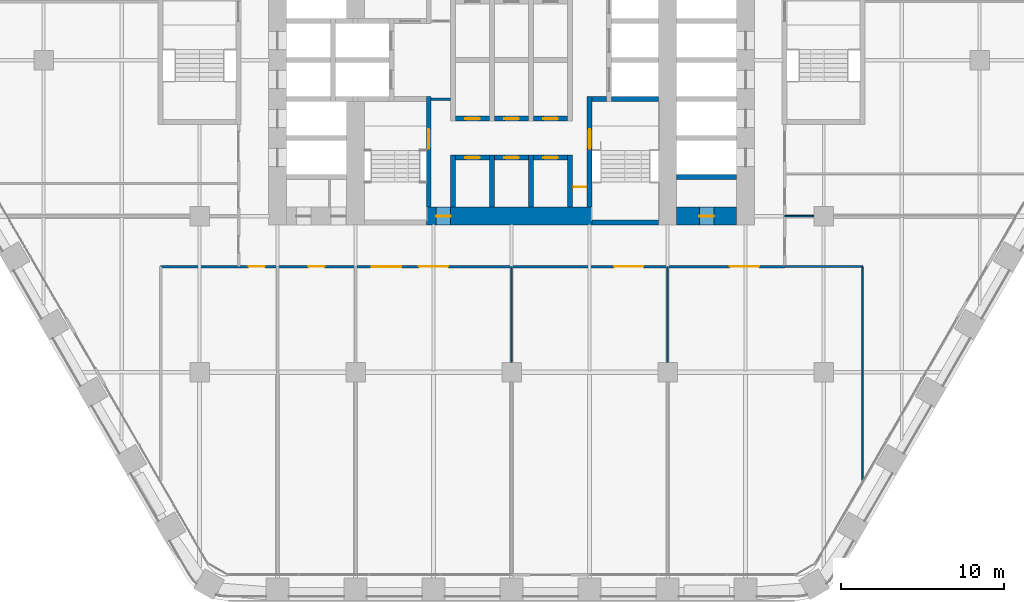
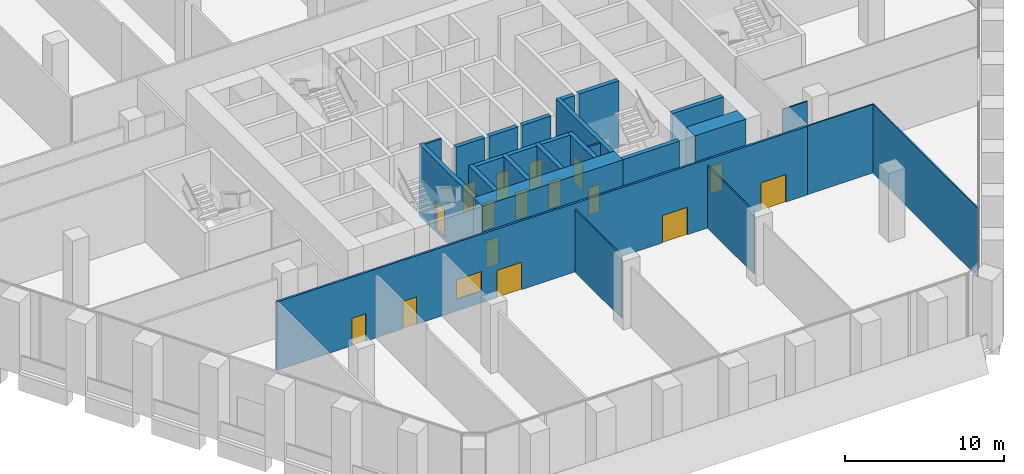
# One storey, part 18 of 27: 26 walls, 16 doors, 1 window, 17 openings.
"""IFC4 building model written with IfcOpenShell, lengths in metres."""

from ifc_helpers import new_model, si_unit, direction, frame, frame_2d, origin, place, context, subcontext, project, spatial, rectangle, extrude, material, layer, layer_set, type_object, element, fill, save


model = new_model("IFC4")

# Units and contexts
model_context = context("Model", 3, precision=1e-05, world=origin(), true_north=direction((0.0, 1.0)))
body_context = subcontext(model_context, "Body", "Model", "MODEL_VIEW")
ifc_project = project(units=[si_unit("LENGTHUNIT", "METRE"), si_unit("AREAUNIT", "SQUARE_METRE"), si_unit("VOLUMEUNIT", "CUBIC_METRE"), si_unit("PLANEANGLEUNIT", "RADIAN"), si_unit("MASSUNIT", "GRAM", prefix="KILO")], contexts=[model_context])

# Site, building, storey
site_placement = place(None, origin())
site = spatial("IfcSite", under=ifc_project, at=site_placement, CompositionType="ELEMENT")
building_placement = place(site_placement, origin())
building = spatial("IfcBuilding", under=site, at=building_placement, Name="Kolab Exchange Tower", CompositionType="ELEMENT")
storey_placement = place(building_placement, frame((0.0, 0.0, 27.89990234375)))
storey = spatial("IfcBuildingStorey", under=building, at=storey_placement, Name="L05", CompositionType="ELEMENT", Elevation=27.89990234375)

# Wall, opening, door
ifc_material_1 = material(Name="Concrete C80/95", Category="concrete")
ifc_layer_1 = layer(ifc_material_1, 1.10009765625)
ifc_layer_set_1 = layer_set([ifc_layer_1], Name="Concrete C80/95")
wall_type_1 = type_object("IfcWallType", Name="CORE WALL 1100 C80/95", PredefinedType="SHEAR", material=ifc_layer_set_1)
wall_1_placement = place(storey_placement, frame((-5.25, -9.60009765625, -0.25), z_axis=(0.0, 0.0, 1.0), x_axis=(1.0, 0.0, 0.0)))
wall_1 = element("IfcWall", 1, at=wall_1_placement, inside=storey, type_object=wall_type_1, Name="wall/L05/core/003", PredefinedType="SHEAR", context=body_context, shape_type="SweptSolid", body=[
    extrude(rectangle(XDim=10.199951171875, YDim=1.10009765625, at=frame_2d((5.10009765625, 0.0))), origin(), (0.0, 0.0, 1.0), 5.5),
])
opening_1_placement = place(wall_1_placement, frame((0.60009765625, 0.0, 0.25)))
opening_1 = element("IfcOpeningElement", 2, at=opening_1_placement, cuts=wall_1, Name="Opening D6-096", PredefinedType="OPENING", context=body_context, shape_type="SweptSolid", body=[
    extrude(rectangle(XDim=0.89990234375, YDim=2.10009765625, at=frame_2d((0.449951171875, 1.050048828125))), frame((0.0, 0.56005859375, 0.0), z_axis=(0.0, -1.0, 0.0), x_axis=(1.0, 0.0, 0.0)), (0.0, 0.0, 1.0), 1.1201171875),
])
ifc_material_2 = material(Name="Steel S235", Category="steel")
door_type_1 = type_object("IfcDoorType", Name="CORE DOOR 900 EI 120", OperationType="SINGLE_SWING_LEFT", PredefinedType="DOOR", material=ifc_material_2)
door_1_placement = place(opening_1_placement, origin())
door_1 = element("IfcDoor", 3, at=door_1_placement, inside=storey, type_object=door_type_1, Name="Core lobby door", OperationType="SINGLE_SWING_RIGHT", OverallHeight=2.10009765625, OverallWidth=0.89990234375, PredefinedType="DOOR", context=body_context, shape_type="SweptSolid", body=[
    extrude(rectangle(XDim=0.89990234375, YDim=2.10009765625, at=frame_2d((0.449951171875, 1.050048828125))), frame((0.0, 0.02490234375, 0.0), z_axis=(0.0, -1.0, 0.0), x_axis=(1.0, 0.0, 0.0)), (0.0, 0.0, 1.0), 0.050048828125),
])
fill(opening_1, door_1)

wall_2_placement = place(storey_placement, frame((10.14990234375, -9.60009765625, -0.25), z_axis=(0.0, 0.0, 1.0), x_axis=(1.0, 0.0, 0.0)))
wall_2 = element("IfcWall", 4, at=wall_2_placement, inside=storey, type_object=wall_type_1, Name="wall/L05/core/004", PredefinedType="SHEAR", context=body_context, shape_type="SweptSolid", body=[
    extrude(rectangle(XDim=3.7001953125, YDim=1.10009765625, at=frame_2d((1.85009765625, 0.0))), origin(), (0.0, 0.0, 1.0), 5.5),
])
opening_2_placement = place(wall_2_placement, frame((1.39990234375, 0.0, 0.25)))
opening_2 = element("IfcOpeningElement", 5, at=opening_2_placement, cuts=wall_2, Name="Opening D6-100", PredefinedType="OPENING", context=body_context, shape_type="SweptSolid", body=[
    extrude(rectangle(XDim=0.89990234375, YDim=2.10009765625, at=frame_2d((0.449951171875, 1.050048828125))), frame((0.0, 0.56005859375, 0.0), z_axis=(0.0, -1.0, 0.0), x_axis=(1.0, 0.0, 0.0)), (0.0, 0.0, 1.0), 1.1201171875),
])
door_2_placement = place(opening_2_placement, origin())
door_2 = element("IfcDoor", 6, at=door_2_placement, inside=storey, type_object=door_type_1, Name="Service room door", OperationType="SINGLE_SWING_LEFT", OverallHeight=2.10009765625, OverallWidth=0.89990234375, PredefinedType="DOOR", context=body_context, shape_type="SweptSolid", body=[
    extrude(rectangle(XDim=0.89990234375, YDim=2.10009765625, at=frame_2d((0.449951171875, 1.050048828125))), frame((0.0, 0.02490234375, 0.0), z_axis=(0.0, -1.0, 0.0), x_axis=(1.0, 0.0, 0.0)), (0.0, 0.0, 1.0), 0.050048828125),
])
fill(opening_2, door_2)

# Wall
ifc_material_3 = material(Name="Concrete C50/60", Category="concrete")
ifc_layer_2 = layer(ifc_material_3, 0.300048828125)
ifc_layer_set_2 = layer_set([ifc_layer_2], Name="Concrete C50/60")
wall_type_2 = type_object("IfcWallType", Name="LIFT SHAFT WALL 300 C50/60", PredefinedType="STANDARD", material=ifc_layer_set_2)
wall_3_placement = place(storey_placement, frame((10.14990234375, -7.199951171875, -0.25), z_axis=(0.0, 0.0, 1.0), x_axis=(1.0, 0.0, 0.0)))
element("IfcWall", 7, at=wall_3_placement, inside=storey, type_object=wall_type_2, Name="wall/L05/core/006", PredefinedType="STANDARD", context=body_context, shape_type="SweptSolid", body=[
    extrude(rectangle(XDim=3.7001953125, YDim=0.300048828125, at=frame_2d((1.85009765625, 0.0))), origin(), (0.0, 0.0, 1.0), 5.5),
])

# Wall, opening, door
wall_4_placement = place(storey_placement, frame((-3.449951171875, -6.0, -0.25), z_axis=(0.0, 0.0, 1.0), x_axis=(1.0, 0.0, 0.0)))
wall_4 = element("IfcWall", 8, at=wall_4_placement, inside=storey, type_object=wall_type_2, Name="wall/L05/core/007", PredefinedType="STANDARD", context=body_context, shape_type="SweptSolid", body=[
    extrude(rectangle(XDim=2.099853515625, YDim=0.300048828125, at=frame_2d((1.0498046875, 0.0))), origin(), (0.0, 0.0, 1.0), 5.5),
])
opening_3_placement = place(wall_4_placement, frame((0.60009765625, 0.0, 0.25)))
opening_3 = element("IfcOpeningElement", 9, at=opening_3_placement, cuts=wall_4, Name="Opening D6-095", PredefinedType="OPENING", context=body_context, shape_type="SweptSolid", body=[
    extrude(rectangle(XDim=0.89990234375, YDim=2.10009765625, at=frame_2d((0.449951171875, 1.050048828125))), frame((0.0, 0.16015625, 0.0), z_axis=(0.0, -1.0, 0.0), x_axis=(1.0, 0.0, 0.0)), (0.0, 0.0, 1.0), 0.320068359375),
])
door_3_placement = place(opening_3_placement, frame((0.89990234375, 0.0, 0.0), z_axis=(0.0, 0.0, 1.0), x_axis=(-1.0, 0.0, 0.0)))
door_3 = element("IfcDoor", 10, at=door_3_placement, inside=storey, type_object=door_type_1, Name="Service room door", OperationType="SINGLE_SWING_LEFT", OverallHeight=2.10009765625, OverallWidth=0.89990234375, PredefinedType="DOOR", context=body_context, shape_type="SweptSolid", body=[
    extrude(rectangle(XDim=0.89990234375, YDim=2.10009765625, at=frame_2d((0.449951171875, 1.050048828125))), frame((0.0, 0.02490234375, 0.0), z_axis=(0.0, -1.0, 0.0), x_axis=(1.0, 0.0, 0.0)), (0.0, 0.0, 1.0), 0.050048828125),
])
fill(opening_3, door_3)

wall_5_placement = place(storey_placement, frame((-1.050048828125, -6.0, -0.25), z_axis=(0.0, 0.0, 1.0), x_axis=(1.0, 0.0, 0.0)))
wall_5 = element("IfcWall", 11, at=wall_5_placement, inside=storey, type_object=wall_type_2, Name="wall/L05/core/008", PredefinedType="STANDARD", context=body_context, shape_type="SweptSolid", body=[
    extrude(rectangle(XDim=2.10009765625, YDim=0.300048828125, at=frame_2d((1.050048828125, 0.0))), origin(), (0.0, 0.0, 1.0), 5.5),
])
opening_4_placement = place(wall_5_placement, frame((0.60009765625, 0.0, 0.25)))
opening_4 = element("IfcOpeningElement", 12, at=opening_4_placement, cuts=wall_5, Name="Opening D6-094", PredefinedType="OPENING", context=body_context, shape_type="SweptSolid", body=[
    extrude(rectangle(XDim=0.89990234375, YDim=2.10009765625, at=frame_2d((0.449951171875, 1.050048828125))), frame((0.0, 0.16015625, 0.0), z_axis=(0.0, -1.0, 0.0), x_axis=(1.0, 0.0, 0.0)), (0.0, 0.0, 1.0), 0.320068359375),
])
door_4_placement = place(opening_4_placement, frame((0.89990234375, 0.0, 0.0), z_axis=(0.0, 0.0, 1.0), x_axis=(-1.0, 0.0, 0.0)))
door_4 = element("IfcDoor", 13, at=door_4_placement, inside=storey, type_object=door_type_1, Name="Service room door", OperationType="SINGLE_SWING_LEFT", OverallHeight=2.10009765625, OverallWidth=0.89990234375, PredefinedType="DOOR", context=body_context, shape_type="SweptSolid", body=[
    extrude(rectangle(XDim=0.89990234375, YDim=2.10009765625, at=frame_2d((0.449951171875, 1.050048828125))), frame((0.0, 0.02490234375, 0.0), z_axis=(0.0, -1.0, 0.0), x_axis=(1.0, 0.0, 0.0)), (0.0, 0.0, 1.0), 0.050048828125),
])
fill(opening_4, door_4)

wall_6_placement = place(storey_placement, frame((1.35009765625, -6.0, -0.25), z_axis=(0.0, 0.0, 1.0), x_axis=(1.0, 0.0, 0.0)))
wall_6 = element("IfcWall", 14, at=wall_6_placement, inside=storey, type_object=wall_type_2, Name="wall/L05/core/009", PredefinedType="STANDARD", context=body_context, shape_type="SweptSolid", body=[
    extrude(rectangle(XDim=2.099853515625, YDim=0.300048828125, at=frame_2d((1.0498046875, 0.0))), origin(), (0.0, 0.0, 1.0), 5.5),
])
opening_5_placement = place(wall_6_placement, frame((0.60009765625, 0.0, 0.25)))
opening_5 = element("IfcOpeningElement", 15, at=opening_5_placement, cuts=wall_6, Name="Opening D6-093", PredefinedType="OPENING", context=body_context, shape_type="SweptSolid", body=[
    extrude(rectangle(XDim=0.89990234375, YDim=2.10009765625, at=frame_2d((0.449951171875, 1.050048828125))), frame((0.0, 0.16015625, 0.0), z_axis=(0.0, -1.0, 0.0), x_axis=(1.0, 0.0, 0.0)), (0.0, 0.0, 1.0), 0.320068359375),
])
door_5_placement = place(opening_5_placement, frame((0.89990234375, 0.0, 0.0), z_axis=(0.0, 0.0, 1.0), x_axis=(-1.0, 0.0, 0.0)))
door_5 = element("IfcDoor", 16, at=door_5_placement, inside=storey, type_object=door_type_1, Name="Service room door", OperationType="SINGLE_SWING_RIGHT", OverallHeight=2.10009765625, OverallWidth=0.89990234375, PredefinedType="DOOR", context=body_context, shape_type="SweptSolid", body=[
    extrude(rectangle(XDim=0.89990234375, YDim=2.10009765625, at=frame_2d((0.449951171875, 1.050048828125))), frame((0.0, 0.02490234375, 0.0), z_axis=(0.0, -1.0, 0.0), x_axis=(1.0, 0.0, 0.0)), (0.0, 0.0, 1.0), 0.050048828125),
])
fill(opening_5, door_5)

wall_7_placement = place(storey_placement, frame((-3.449951171875, -3.60009765625, -0.25), z_axis=(0.0, 0.0, 1.0), x_axis=(1.0, 0.0, 0.0)))
wall_7 = element("IfcWall", 17, at=wall_7_placement, inside=storey, type_object=wall_type_2, Name="wall/L05/core/014", PredefinedType="STANDARD", context=body_context, shape_type="SweptSolid", body=[
    extrude(rectangle(XDim=2.099853515625, YDim=0.300048828125, at=frame_2d((1.0498046875, 0.0))), origin(), (0.0, 0.0, 1.0), 5.5),
])
opening_6_placement = place(wall_7_placement, frame((0.60009765625, 0.0, 0.25)))
opening_6 = element("IfcOpeningElement", 18, at=opening_6_placement, cuts=wall_7, Name="Opening D6-092", PredefinedType="OPENING", context=body_context, shape_type="SweptSolid", body=[
    extrude(rectangle(XDim=0.89990234375, YDim=2.10009765625, at=frame_2d((0.449951171875, 1.050048828125))), frame((0.0, 0.16015625, 0.0), z_axis=(0.0, -1.0, 0.0), x_axis=(1.0, 0.0, 0.0)), (0.0, 0.0, 1.0), 0.320068359375),
])
door_6_placement = place(opening_6_placement, origin())
door_6 = element("IfcDoor", 19, at=door_6_placement, inside=storey, type_object=door_type_1, Name="Service room door", OperationType="SINGLE_SWING_LEFT", OverallHeight=2.10009765625, OverallWidth=0.89990234375, PredefinedType="DOOR", context=body_context, shape_type="SweptSolid", body=[
    extrude(rectangle(XDim=0.89990234375, YDim=2.10009765625, at=frame_2d((0.449951171875, 1.050048828125))), frame((0.0, 0.02490234375, 0.0), z_axis=(0.0, -1.0, 0.0), x_axis=(1.0, 0.0, 0.0)), (0.0, 0.0, 1.0), 0.050048828125),
])
fill(opening_6, door_6)

wall_8_placement = place(storey_placement, frame((-1.050048828125, -3.60009765625, -0.25), z_axis=(0.0, 0.0, 1.0), x_axis=(1.0, 0.0, 0.0)))
wall_8 = element("IfcWall", 20, at=wall_8_placement, inside=storey, type_object=wall_type_2, Name="wall/L05/core/015", PredefinedType="STANDARD", context=body_context, shape_type="SweptSolid", body=[
    extrude(rectangle(XDim=2.10009765625, YDim=0.300048828125, at=frame_2d((1.050048828125, 0.0))), origin(), (0.0, 0.0, 1.0), 5.5),
])
opening_7_placement = place(wall_8_placement, frame((0.60009765625, 0.0, 0.25)))
opening_7 = element("IfcOpeningElement", 21, at=opening_7_placement, cuts=wall_8, Name="Opening D6-091", PredefinedType="OPENING", context=body_context, shape_type="SweptSolid", body=[
    extrude(rectangle(XDim=0.89990234375, YDim=2.10009765625, at=frame_2d((0.449951171875, 1.050048828125))), frame((0.0, 0.16015625, 0.0), z_axis=(0.0, -1.0, 0.0), x_axis=(1.0, 0.0, 0.0)), (0.0, 0.0, 1.0), 0.320068359375),
])
door_7_placement = place(opening_7_placement, origin())
door_7 = element("IfcDoor", 22, at=door_7_placement, inside=storey, type_object=door_type_1, Name="Service room door", OperationType="SINGLE_SWING_LEFT", OverallHeight=2.10009765625, OverallWidth=0.89990234375, PredefinedType="DOOR", context=body_context, shape_type="SweptSolid", body=[
    extrude(rectangle(XDim=0.89990234375, YDim=2.10009765625, at=frame_2d((0.449951171875, 1.050048828125))), frame((0.0, 0.02490234375, 0.0), z_axis=(0.0, -1.0, 0.0), x_axis=(1.0, 0.0, 0.0)), (0.0, 0.0, 1.0), 0.050048828125),
])
fill(opening_7, door_7)

wall_9_placement = place(storey_placement, frame((1.35009765625, -3.60009765625, -0.25), z_axis=(0.0, 0.0, 1.0), x_axis=(1.0, 0.0, 0.0)))
wall_9 = element("IfcWall", 23, at=wall_9_placement, inside=storey, type_object=wall_type_2, Name="wall/L05/core/016", PredefinedType="STANDARD", context=body_context, shape_type="SweptSolid", body=[
    extrude(rectangle(XDim=2.099853515625, YDim=0.300048828125, at=frame_2d((1.0498046875, 0.0))), origin(), (0.0, 0.0, 1.0), 5.5),
])
opening_8_placement = place(wall_9_placement, frame((0.60009765625, 0.0, 0.25)))
opening_8 = element("IfcOpeningElement", 24, at=opening_8_placement, cuts=wall_9, Name="Opening D6-090", PredefinedType="OPENING", context=body_context, shape_type="SweptSolid", body=[
    extrude(rectangle(XDim=0.89990234375, YDim=2.10009765625, at=frame_2d((0.449951171875, 1.050048828125))), frame((0.0, 0.16015625, 0.0), z_axis=(0.0, -1.0, 0.0), x_axis=(1.0, 0.0, 0.0)), (0.0, 0.0, 1.0), 0.320068359375),
])
door_8_placement = place(opening_8_placement, origin())
door_8 = element("IfcDoor", 25, at=door_8_placement, inside=storey, type_object=door_type_1, Name="Service room door", OperationType="SINGLE_SWING_RIGHT", OverallHeight=2.10009765625, OverallWidth=0.89990234375, PredefinedType="DOOR", context=body_context, shape_type="SweptSolid", body=[
    extrude(rectangle(XDim=0.89990234375, YDim=2.10009765625, at=frame_2d((0.449951171875, 1.050048828125))), frame((0.0, 0.02490234375, 0.0), z_axis=(0.0, -1.0, 0.0), x_axis=(1.0, 0.0, 0.0)), (0.0, 0.0, 1.0), 0.050048828125),
])
fill(opening_8, door_8)

# Walls
for number, where, z_axis, x_axis, name in (
    (26, (-3.60009765625, -9.050048828125, -0.25), (0.0, 0.0, 1.0), (0.0, 1.0, 0.0), "wall/L05/core/066"),
    (27, (-1.199951171875, -9.050048828125, -0.25), (0.0, 0.0, 1.0), (0.0, 1.0, 0.0), "wall/L05/core/069"),
    (28, (1.199951171875, -9.050048828125, -0.25), (0.0, 0.0, 1.0), (0.0, 1.0, 0.0), "wall/L05/core/072"),
    (29, (3.60009765625, -9.050048828125, -0.25), (0.0, 0.0, 1.0), (0.0, 1.0, 0.0), "wall/L05/core/075"),
):
    element("IfcWall", number, at=place(storey_placement, frame(where, z_axis=z_axis, x_axis=x_axis)), inside=storey, type_object=wall_type_2, Name=name, PredefinedType="STANDARD", context=body_context, shape_type="SweptSolid", body=[
        extrude(rectangle(XDim=3.199951171875, YDim=0.300048828125, at=frame_2d((1.60009765625, 0.0))), origin(), (0.0, 0.0, 1.0), 5.5),
    ])
ifc_material_4 = material(Name="Gypsum board", Category="gypsum")
ifc_layer_3 = layer(ifc_material_4, 0.10009765625)
ifc_layer_set_3 = layer_set([ifc_layer_3], Name="Gypsum board")
wall_type_3 = type_object("IfcWallType", Name="PARTITION 100", PredefinedType="PARTITIONING", material=ifc_layer_set_3)
wall_10_placement = place(storey_placement, frame((21.60009765625, -25.8583984375, 0.0), z_axis=(0.0, 0.0, 1.0), x_axis=(0.0, 1.0, 0.0)))
element("IfcWall", 30, at=wall_10_placement, inside=storey, type_object=wall_type_3, Name="Partition 000", PredefinedType="PARTITIONING", context=body_context, shape_type="SweptSolid", body=[
    extrude(rectangle(XDim=13.158447265625, YDim=0.10009765625, at=frame_2d((6.5791015625, 0.0))), origin(), (0.0, 0.0, 1.0), 5.25),
])
for number, where, z_axis, x_axis, name in (
    (31, (9.60009765625, -18.60009765625, 0.0), (0.0, 0.0, 1.0), (0.0, 1.0, 0.0), "Partition 007"),
    (32, (0.0, -18.60009765625, 0.0), (0.0, 0.0, 1.0), (0.0, 1.0, 0.0), "Partition 014"),
):
    element("IfcWall", number, at=place(storey_placement, frame(where, z_axis=z_axis, x_axis=x_axis)), inside=storey, type_object=wall_type_3, Name=name, PredefinedType="PARTITIONING", context=body_context, shape_type="SweptSolid", body=[
        extrude(rectangle(XDim=5.900146484375, YDim=0.10009765625, at=frame_2d((2.9501953125, 0.0))), origin(), (0.0, 0.0, 1.0), 4.793212890625),
    ])
wall_11_placement = place(storey_placement, frame((16.800048828125, -12.699951171875, 0.0), z_axis=(0.0, 0.0, 1.0), x_axis=(1.0, 0.0, 0.0)))
element("IfcWall", 33, at=wall_11_placement, inside=storey, type_object=wall_type_3, Name="Partition 030", PredefinedType="PARTITIONING", context=body_context, shape_type="SweptSolid", body=[
    extrude(rectangle(XDim=4.800048828125, YDim=0.10009765625, at=frame_2d((2.39990234375, 0.0))), origin(), (0.0, 0.0, 1.0), 5.25),
])
wall_12_placement = place(storey_placement, frame((16.800048828125, -9.60009765625, 0.0), z_axis=(0.0, 0.0, 1.0), x_axis=(1.0, 0.0, 0.0)))
element("IfcWall", 34, at=wall_12_placement, inside=storey, type_object=wall_type_3, Name="Partition 032", PredefinedType="PARTITIONING", context=body_context, shape_type="SweptSolid", body=[
    extrude(rectangle(XDim=1.800048828125, YDim=0.10009765625, at=frame_2d((0.89990234375, 0.0))), origin(), (0.0, 0.0, 1.0), 4.64208984375),
])

# Wall, openings, doors, window
ifc_layer_4 = layer(ifc_material_4, 0.14990234375)
ifc_layer_set_4 = layer_set([ifc_layer_4], Name="Gypsum board")
wall_type_4 = type_object("IfcWallType", Name="PARTITION 150 FIRE-RATED", PredefinedType="PARTITIONING", material=ifc_layer_set_4)
wall_13_placement = place(storey_placement, frame((-21.60009765625, -12.699951171875, 0.0), z_axis=(0.0, 0.0, 1.0), x_axis=(1.0, 0.0, 0.0)))
wall_13 = element("IfcWall", 35, at=wall_13_placement, inside=storey, type_object=wall_type_4, Name="Partition 031", PredefinedType="PARTITIONING", context=body_context, shape_type="SweptSolid", body=[
    extrude(rectangle(XDim=38.400146484375, YDim=0.14990234375, at=frame_2d((19.2001953125, 0.0))), origin(), (0.0, 0.0, 1.0), 5.25),
])
opening_9_placement = place(wall_13_placement, frame((5.425048828125, 0.0, 0.0)))
opening_9 = element("IfcOpeningElement", 36, at=opening_9_placement, cuts=wall_13, Name="Opening D1-071", PredefinedType="OPENING", context=body_context, shape_type="SweptSolid", body=[
    extrude(rectangle(XDim=1.0, YDim=2.10009765625, at=frame_2d((0.5, 1.050048828125))), frame((0.0, 0.0849609375, 0.0), z_axis=(0.0, -1.0, 0.0), x_axis=(1.0, 0.0, 0.0)), (0.0, 0.0, 1.0), 0.169921875),
])
opening_10_placement = place(wall_13_placement, frame((9.10009765625, 0.0, 0.0)))
opening_10 = element("IfcOpeningElement", 37, at=opening_10_placement, cuts=wall_13, Name="Opening D1-072", PredefinedType="OPENING", context=body_context, shape_type="SweptSolid", body=[
    extrude(rectangle(XDim=1.0, YDim=2.10009765625, at=frame_2d((0.5, 1.050048828125))), frame((0.0, 0.0849609375, 0.0), z_axis=(0.0, -1.0, 0.0), x_axis=(1.0, 0.0, 0.0)), (0.0, 0.0, 1.0), 0.169921875),
])
opening_11_placement = place(wall_13_placement, frame((15.89990234375, 0.0, 0.0)))
opening_11 = element("IfcOpeningElement", 38, at=opening_11_placement, cuts=wall_13, Name="Opening D2-010", PredefinedType="OPENING", context=body_context, shape_type="SweptSolid", body=[
    extrude(rectangle(XDim=1.800048828125, YDim=2.10009765625, at=frame_2d((0.89990234375, 1.050048828125))), frame((0.0, 0.0849609375, 0.0), z_axis=(0.0, -1.0, 0.0), x_axis=(1.0, 0.0, 0.0)), (0.0, 0.0, 1.0), 0.169921875),
])
opening_12_placement = place(wall_13_placement, frame((27.9150390625, 0.0, 0.0)))
opening_12 = element("IfcOpeningElement", 39, at=opening_12_placement, cuts=wall_13, Name="Opening D2-011", PredefinedType="OPENING", context=body_context, shape_type="SweptSolid", body=[
    extrude(rectangle(XDim=1.800048828125, YDim=2.10009765625, at=frame_2d((0.89990234375, 1.050048828125))), frame((0.0, 0.0849609375, 0.0), z_axis=(0.0, -1.0, 0.0), x_axis=(1.0, 0.0, 0.0)), (0.0, 0.0, 1.0), 0.169921875),
])
opening_13_placement = place(wall_13_placement, frame((35.02490234375, 0.0, 0.0)))
opening_13 = element("IfcOpeningElement", 40, at=opening_13_placement, cuts=wall_13, Name="Opening D2-012", PredefinedType="OPENING", context=body_context, shape_type="SweptSolid", body=[
    extrude(rectangle(XDim=1.800048828125, YDim=2.10009765625, at=frame_2d((0.89990234375, 1.050048828125))), frame((0.0, 0.0849609375, 0.0), z_axis=(0.0, -1.0, 0.0), x_axis=(1.0, 0.0, 0.0)), (0.0, 0.0, 1.0), 0.169921875),
])
opening_14_placement = place(wall_13_placement, frame((13.0, 0.0, 0.89990234375)))
opening_14 = element("IfcOpeningElement", 41, at=opening_14_placement, cuts=wall_13, Name="Opening W1-001", PredefinedType="OPENING", context=body_context, shape_type="SweptSolid", body=[
    extrude(rectangle(XDim=1.800048828125, YDim=1.5, at=frame_2d((0.89990234375, 0.75))), frame((0.0, 0.0849609375, 0.0), z_axis=(0.0, -1.0, 0.0), x_axis=(1.0, 0.0, 0.0)), (0.0, 0.0, 1.0), 0.169921875),
])
door_type_2 = type_object("IfcDoorType", Name="DOUBLE DOOR 1800 FD60", OperationType="DOUBLE_DOOR_SINGLE_SWING", PredefinedType="DOOR", material=ifc_material_2)
door_9_placement = place(opening_11_placement, frame((1.800048828125, 0.0, 0.0), z_axis=(0.0, 0.0, 1.0), x_axis=(-1.0, 0.0, 0.0)))
door_9 = element("IfcDoor", 42, at=door_9_placement, inside=storey, type_object=door_type_2, Name="Door L05-056", OperationType="SINGLE_SWING_LEFT", OverallHeight=2.10009765625, OverallWidth=1.800048828125, PredefinedType="DOOR", context=body_context, shape_type="SweptSolid", body=[
    extrude(rectangle(XDim=1.800048828125, YDim=2.10009765625, at=frame_2d((0.89990234375, 1.050048828125))), frame((0.0, 0.02490234375, 0.0), z_axis=(0.0, -1.0, 0.0), x_axis=(1.0, 0.0, 0.0)), (0.0, 0.0, 1.0), 0.050048828125),
])
fill(opening_11, door_9)
door_10_placement = place(opening_12_placement, frame((1.800048828125, 0.0, 0.0), z_axis=(0.0, 0.0, 1.0), x_axis=(-1.0, 0.0, 0.0)))
door_10 = element("IfcDoor", 43, at=door_10_placement, inside=storey, type_object=door_type_2, Name="Door L05-057", OperationType="SINGLE_SWING_RIGHT", OverallHeight=2.10009765625, OverallWidth=1.800048828125, PredefinedType="DOOR", context=body_context, shape_type="SweptSolid", body=[
    extrude(rectangle(XDim=1.800048828125, YDim=2.10009765625, at=frame_2d((0.89990234375, 1.050048828125))), frame((0.0, 0.02490234375, 0.0), z_axis=(0.0, -1.0, 0.0), x_axis=(1.0, 0.0, 0.0)), (0.0, 0.0, 1.0), 0.050048828125),
])
fill(opening_12, door_10)
door_11_placement = place(opening_13_placement, frame((1.800048828125, 0.0, 0.0), z_axis=(0.0, 0.0, 1.0), x_axis=(-1.0, 0.0, 0.0)))
door_11 = element("IfcDoor", 44, at=door_11_placement, inside=storey, type_object=door_type_2, Name="Door L05-058", OperationType="SINGLE_SWING_LEFT", OverallHeight=2.10009765625, OverallWidth=1.800048828125, PredefinedType="DOOR", context=body_context, shape_type="SweptSolid", body=[
    extrude(rectangle(XDim=1.800048828125, YDim=2.10009765625, at=frame_2d((0.89990234375, 1.050048828125))), frame((0.0, 0.02490234375, 0.0), z_axis=(0.0, -1.0, 0.0), x_axis=(1.0, 0.0, 0.0)), (0.0, 0.0, 1.0), 0.050048828125),
])
fill(opening_13, door_11)
door_type_3 = type_object("IfcDoorType", Name="FLUSH DOOR 1000 FD60", OperationType="SINGLE_SWING_LEFT", PredefinedType="DOOR", material=ifc_material_2)
door_12_placement = place(opening_9_placement, frame((1.0, 0.0, 0.0), z_axis=(0.0, 0.0, 1.0), x_axis=(-1.0, 0.0, 0.0)))
door_12 = element("IfcDoor", 45, at=door_12_placement, inside=storey, type_object=door_type_3, Name="Door L05-054", OperationType="SINGLE_SWING_RIGHT", OverallHeight=2.10009765625, OverallWidth=1.0, PredefinedType="DOOR", context=body_context, shape_type="SweptSolid", body=[
    extrude(rectangle(XDim=1.0, YDim=2.10009765625, at=frame_2d((0.5, 1.050048828125))), frame((0.0, 0.02490234375, 0.0), z_axis=(0.0, -1.0, 0.0), x_axis=(1.0, 0.0, 0.0)), (0.0, 0.0, 1.0), 0.050048828125),
])
fill(opening_9, door_12)
door_13_placement = place(opening_10_placement, frame((1.0, 0.0, 0.0), z_axis=(0.0, 0.0, 1.0), x_axis=(-1.0, 0.0, 0.0)))
door_13 = element("IfcDoor", 46, at=door_13_placement, inside=storey, type_object=door_type_3, Name="Door L05-055", OperationType="SINGLE_SWING_LEFT", OverallHeight=2.10009765625, OverallWidth=1.0, PredefinedType="DOOR", context=body_context, shape_type="SweptSolid", body=[
    extrude(rectangle(XDim=1.0, YDim=2.10009765625, at=frame_2d((0.5, 1.050048828125))), frame((0.0, 0.02490234375, 0.0), z_axis=(0.0, -1.0, 0.0), x_axis=(1.0, 0.0, 0.0)), (0.0, 0.0, 1.0), 0.050048828125),
])
fill(opening_10, door_13)
ifc_material_5 = material(Name="Fire-rated glazing", Category="glass")
window_type = type_object("IfcWindowType", Name="OBSERVATION WINDOW 1800 X 1500 EI 60", PartitioningType="SINGLE_PANEL", PredefinedType="WINDOW", material=ifc_material_5)
window_placement = place(opening_14_placement, origin())
window = element("IfcWindow", 47, at=window_placement, inside=storey, type_object=window_type, Name="Viewing window L05-1", OverallHeight=1.5, OverallWidth=1.800048828125, PartitioningType="SINGLE_PANEL", PredefinedType="WINDOW", context=body_context, shape_type="SweptSolid", body=[
    extrude(rectangle(XDim=1.800048828125, YDim=1.5, at=frame_2d((0.89990234375, 0.75))), frame((0.0, 0.030029296875, 0.0), z_axis=(0.0, -1.0, 0.0), x_axis=(1.0, 0.0, 0.0)), (0.0, 0.0, 1.0), 0.06005859375),
])
fill(opening_14, window)

# Wall, opening, door
wall_14_placement = place(storey_placement, frame((3.75, -7.800048828125, 0.0), z_axis=(0.0, 0.0, 1.0), x_axis=(1.0, 0.0, 0.0)))
wall_14 = element("IfcWall", 48, at=wall_14_placement, inside=storey, type_object=wall_type_4, Name="Partition 036", PredefinedType="PARTITIONING", context=body_context, shape_type="SweptSolid", body=[
    extrude(rectangle(XDim=0.89990234375, YDim=0.14990234375, at=frame_2d((0.449951171875, 0.0))), origin(), (0.0, 0.0, 1.0), 5.25),
])
opening_15_placement = place(wall_14_placement, frame((0.050048828125, 0.0, 0.0)))
opening_15 = element("IfcOpeningElement", 49, at=opening_15_placement, cuts=wall_14, Name="Opening D7-008", PredefinedType="OPENING", context=body_context, shape_type="SweptSolid", body=[
    extrude(rectangle(XDim=0.800048828125, YDim=2.10009765625, at=frame_2d((0.39990234375, 1.050048828125))), frame((0.0, 0.0849609375, 0.0), z_axis=(0.0, -1.0, 0.0), x_axis=(1.0, 0.0, 0.0)), (0.0, 0.0, 1.0), 0.169921875),
])
door_type_4 = type_object("IfcDoorType", Name="FLUSH DOOR 800 FD60", OperationType="SINGLE_SWING_LEFT", PredefinedType="DOOR", material=ifc_material_2)
door_14_placement = place(opening_15_placement, frame((0.800048828125, 0.0, 0.0), z_axis=(0.0, 0.0, 1.0), x_axis=(-1.0, 0.0, 0.0)))
door_14 = element("IfcDoor", 50, at=door_14_placement, inside=storey, type_object=door_type_4, Name="Door L05-041", OperationType="SINGLE_SWING_RIGHT", OverallHeight=2.10009765625, OverallWidth=0.800048828125, PredefinedType="DOOR", context=body_context, shape_type="SweptSolid", body=[
    extrude(rectangle(XDim=0.800048828125, YDim=2.10009765625, at=frame_2d((0.39990234375, 1.050048828125))), frame((0.0, 0.02490234375, 0.0), z_axis=(0.0, -1.0, 0.0), x_axis=(1.0, 0.0, 0.0)), (0.0, 0.0, 1.0), 0.050048828125),
])
fill(opening_15, door_14)

# Walls
wall_15_placement = place(storey_placement, frame((-4.949951171875, -2.39990234375, 0.0), z_axis=(0.0, 0.0, 1.0), x_axis=(1.0, 0.0, 0.0)))
element("IfcWall", 51, at=wall_15_placement, inside=storey, type_object=wall_type_4, Name="Fire partition", PredefinedType="PARTITIONING", context=body_context, shape_type="SweptSolid", body=[
    extrude(rectangle(XDim=1.199951171875, YDim=0.14990234375, at=frame_2d((0.60009765625, 0.0))), origin(), (0.0, 0.0, 1.0), 5.25),
])
ifc_layer_5 = layer(ifc_material_3, 0.300048828125)
ifc_layer_set_5 = layer_set([ifc_layer_5], Name="Concrete C50/60")
wall_type_5 = type_object("IfcWallType", Name="STAIR ENCLOSURE WALL 300 C50/60", PredefinedType="STANDARD", material=ifc_layer_set_5)
wall_16_placement = place(storey_placement, frame((4.949951171875, -10.0, -0.25), z_axis=(0.0, 0.0, 1.0), x_axis=(1.0, 0.0, 0.0)))
element("IfcWall", 52, at=wall_16_placement, inside=storey, type_object=wall_type_5, Name="wall/L05/core/001", PredefinedType="STANDARD", context=body_context, shape_type="SweptSolid", body=[
    extrude(rectangle(XDim=4.10009765625, YDim=0.300048828125, at=frame_2d((2.050048828125, 0.0))), origin(), (0.0, 0.0, 1.0), 5.5),
])
wall_17_placement = place(storey_placement, frame((4.949951171875, -2.39990234375, -0.25), z_axis=(0.0, 0.0, 1.0), x_axis=(1.0, 0.0, 0.0)))
element("IfcWall", 53, at=wall_17_placement, inside=storey, type_object=wall_type_5, Name="wall/L05/core/021", PredefinedType="STANDARD", context=body_context, shape_type="SweptSolid", body=[
    extrude(rectangle(XDim=0.900146484375, YDim=0.300048828125, at=frame_2d((0.4501953125, 0.0))), origin(), (0.0, 0.0, 1.0), 5.5),
])
wall_18_placement = place(storey_placement, frame((6.14990234375, -2.39990234375, -0.25), z_axis=(0.0, 0.0, 1.0), x_axis=(1.0, 0.0, 0.0)))
element("IfcWall", 54, at=wall_18_placement, inside=storey, type_object=wall_type_5, Name="wall/L05/core/022", PredefinedType="STANDARD", context=body_context, shape_type="SweptSolid", body=[
    extrude(rectangle(XDim=2.900146484375, YDim=0.300048828125, at=frame_2d((1.4501953125, 0.0))), origin(), (0.0, 0.0, 1.0), 5.5),
])

# Wall, opening, door
wall_19_placement = place(storey_placement, frame((-5.10009765625, -9.050048828125, -0.25), z_axis=(0.0, 0.0, 1.0), x_axis=(0.0, 1.0, 0.0)))
wall_19 = element("IfcWall", 55, at=wall_19_placement, inside=storey, type_object=wall_type_5, Name="wall/L05/core/064", PredefinedType="STANDARD", context=body_context, shape_type="SweptSolid", body=[
    extrude(rectangle(XDim=6.800048828125, YDim=0.300048828125, at=frame_2d((3.39990234375, 0.0))), origin(), (0.0, 0.0, 1.0), 5.5),
])
opening_16_placement = place(wall_19_placement, frame((3.60009765625, 0.0, 0.25)))
opening_16 = element("IfcOpeningElement", 56, at=opening_16_placement, cuts=wall_19, Name="Opening D4-022", PredefinedType="OPENING", context=body_context, shape_type="SweptSolid", body=[
    extrude(rectangle(XDim=1.199951171875, YDim=2.10009765625, at=frame_2d((0.60009765625, 1.050048828125))), frame((0.0, 0.16015625, 0.0), z_axis=(0.0, -1.0, 0.0), x_axis=(1.0, 0.0, 0.0)), (0.0, 0.0, 1.0), 0.320068359375),
])
door_type_5 = type_object("IfcDoorType", Name="STAIR DOOR 1200 EI 120", OperationType="SINGLE_SWING_LEFT", PredefinedType="DOOR", material=ifc_material_2)
door_15_placement = place(opening_16_placement, origin())
door_15 = element("IfcDoor", 57, at=door_15_placement, inside=storey, type_object=door_type_5, Name="Stair 3 door", OperationType="SINGLE_SWING_RIGHT", OverallHeight=2.10009765625, OverallWidth=1.199951171875, PredefinedType="DOOR", context=body_context, shape_type="SweptSolid", body=[
    extrude(rectangle(XDim=1.199951171875, YDim=2.10009765625, at=frame_2d((0.60009765625, 1.050048828125))), frame((0.0, 0.02490234375, 0.0), z_axis=(0.0, -1.0, 0.0), x_axis=(1.0, 0.0, 0.0)), (0.0, 0.0, 1.0), 0.050048828125),
])
fill(opening_16, door_15)

wall_20_placement = place(storey_placement, frame((4.800048828125, -9.050048828125, -0.25), z_axis=(0.0, 0.0, 1.0), x_axis=(0.0, 1.0, 0.0)))
wall_20 = element("IfcWall", 58, at=wall_20_placement, inside=storey, type_object=wall_type_5, Name="wall/L05/core/078", PredefinedType="STANDARD", context=body_context, shape_type="SweptSolid", body=[
    extrude(rectangle(XDim=6.800048828125, YDim=0.300048828125, at=frame_2d((3.39990234375, 0.0))), origin(), (0.0, 0.0, 1.0), 5.5),
])
opening_17_placement = place(wall_20_placement, frame((3.60009765625, 0.0, 0.25)))
opening_17 = element("IfcOpeningElement", 59, at=opening_17_placement, cuts=wall_20, Name="Opening D4-021", PredefinedType="OPENING", context=body_context, shape_type="SweptSolid", body=[
    extrude(rectangle(XDim=1.199951171875, YDim=2.10009765625, at=frame_2d((0.60009765625, 1.050048828125))), frame((0.0, 0.16015625, 0.0), z_axis=(0.0, -1.0, 0.0), x_axis=(1.0, 0.0, 0.0)), (0.0, 0.0, 1.0), 0.320068359375),
])
door_16_placement = place(opening_17_placement, frame((1.199951171875, 0.0, 0.0), z_axis=(0.0, 0.0, 1.0), x_axis=(-1.0, 0.0, 0.0)))
door_16 = element("IfcDoor", 60, at=door_16_placement, inside=storey, type_object=door_type_5, Name="Stair 2 door", OperationType="SINGLE_SWING_RIGHT", OverallHeight=2.10009765625, OverallWidth=1.199951171875, PredefinedType="DOOR", context=body_context, shape_type="SweptSolid", body=[
    extrude(rectangle(XDim=1.199951171875, YDim=2.10009765625, at=frame_2d((0.60009765625, 1.050048828125))), frame((0.0, 0.02490234375, 0.0), z_axis=(0.0, -1.0, 0.0), x_axis=(1.0, 0.0, 0.0)), (0.0, 0.0, 1.0), 0.050048828125),
])
fill(opening_17, door_16)

save(model, "model.ifc")
